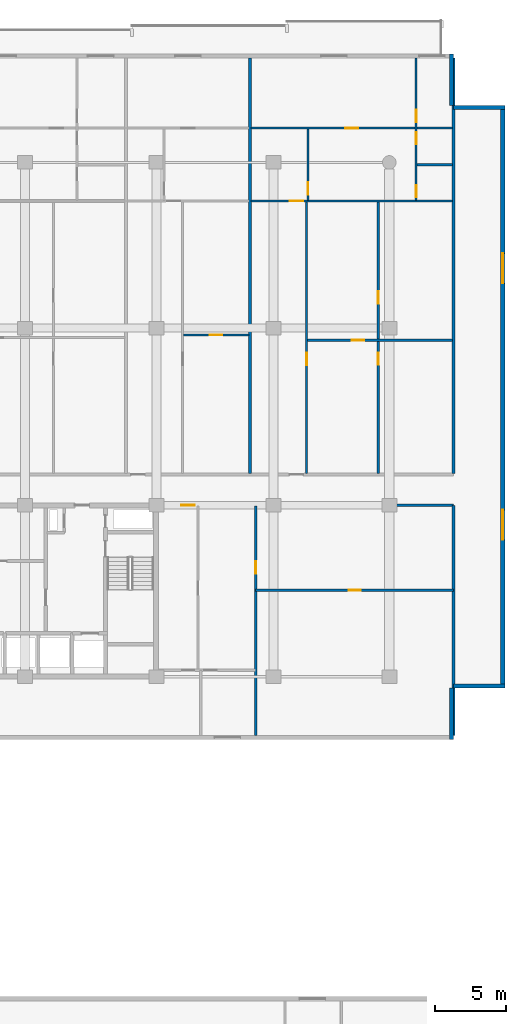
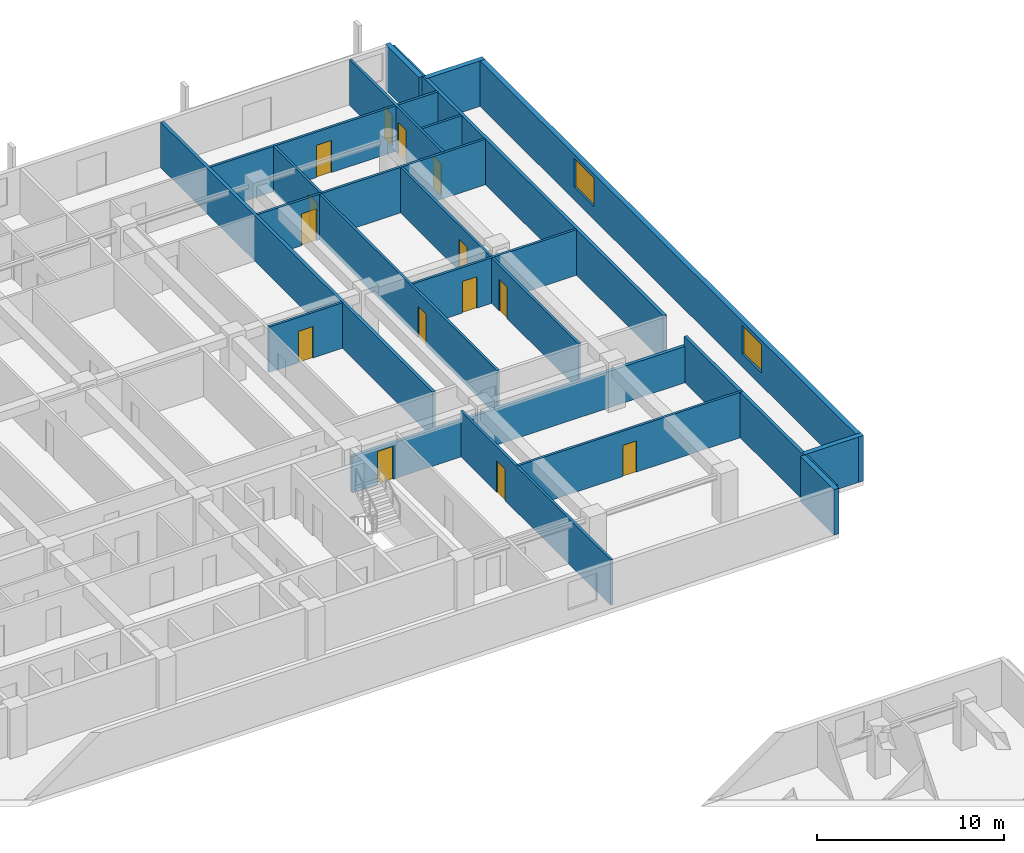
# One storey, part 18 of 24: 20 walls, 14 doors, 2 windows, 16 openings.
"""IFC4 building model written with IfcOpenShell, lengths in metres."""

from ifc_helpers import new_model, si_unit, direction, frame, frame_2d, origin, place, context, subcontext, project, spatial, rectangle, extrude, material, layer, layer_set, type_object, element, fill, save


model = new_model("IFC4")

# Units and contexts
model_context = context("Model", 3, precision=1e-05, world=origin(), true_north=direction((0.0, 1.0)))
body_context = subcontext(model_context, "Body", "Model", "MODEL_VIEW")
ifc_project = project(units=[si_unit("LENGTHUNIT", "METRE"), si_unit("AREAUNIT", "SQUARE_METRE"), si_unit("VOLUMEUNIT", "CUBIC_METRE"), si_unit("PLANEANGLEUNIT", "RADIAN"), si_unit("MASSUNIT", "GRAM", prefix="KILO")], contexts=[model_context])

# Site, building, storey
site_placement = place(None, origin())
site = spatial("IfcSite", under=ifc_project, at=site_placement, CompositionType="ELEMENT")
building_placement = place(site_placement, origin())
building = spatial("IfcBuilding", under=site, at=building_placement, Name="Korimba Cascade Residences", CompositionType="ELEMENT")
storey_placement = place(building_placement, frame((0.0, 0.0, 63.0)))
storey = spatial("IfcBuildingStorey", under=building, at=storey_placement, Name="L17", CompositionType="ELEMENT", Elevation=63.0)

# Walls
ifc_material_1 = material(Name="Precast concrete C40/50", Category="concrete")
ifc_layer_1 = layer(ifc_material_1, 0.300048828125)
ifc_layer_set_1 = layer_set([ifc_layer_1], Name="Precast concrete C40/50")
wall_type_1 = type_object("IfcWallType", Name="EW-STONE-300", PredefinedType="STANDARD", material=ifc_layer_set_1)
wall_1_placement = place(storey_placement, frame((132.75, 50.800048828125, 0.0), z_axis=(0.0, 0.0, 1.0), x_axis=(0.0, 1.0, 0.0)))
element("IfcWall", 1, at=wall_1_placement, inside=storey, type_object=wall_type_1, Name="L17 T1 Perimeter Stone Wall E01", PredefinedType="STANDARD", context=body_context, shape_type="SweptSolid", body=[
    extrude(rectangle(XDim=3.599853515625, YDim=0.300048828125, at=frame_2d((1.7998046875, 0.0))), origin(), (0.0, 0.0, 1.0), 2.969970703125),
])
wall_2_placement = place(storey_placement, frame((132.89990234375, 54.550048828125, 0.0), z_axis=(0.0, 0.0, 1.0), x_axis=(1.0, 0.0, 0.0)))
element("IfcWall", 2, at=wall_2_placement, inside=storey, type_object=wall_type_1, Name="L17 T1 Perimeter Stone Wall E02", PredefinedType="STANDARD", context=body_context, shape_type="SweptSolid", body=[
    extrude(rectangle(XDim=3.60009765625, YDim=0.300048828125, at=frame_2d((1.800048828125, 0.0))), origin(), (0.0, 0.0, 1.0), 2.969970703125),
])

# Wall, openings, windows
wall_3_placement = place(storey_placement, frame((136.35009765625, 54.39990234375, 0.0), z_axis=(0.0, 0.0, 1.0), x_axis=(0.0, 1.0, 0.0)))
wall_3 = element("IfcWall", 3, at=wall_3_placement, inside=storey, type_object=wall_type_1, Name="L17 T1 Perimeter Stone Wall E03", PredefinedType="STANDARD", context=body_context, shape_type="SweptSolid", body=[
    extrude(rectangle(XDim=40.800048828125, YDim=0.300048828125, at=frame_2d((20.39990234375, 0.0))), origin(), (0.0, 0.0, 1.0), 2.969970703125),
])
opening_1_placement = place(wall_3_placement, frame((10.3740234375, 0.0, 0.85009765625)))
opening_1 = element("IfcOpeningElement", 4, at=opening_1_placement, cuts=wall_3, Name="Opening W-03", PredefinedType="OPENING", context=body_context, shape_type="SweptSolid", body=[
    extrude(rectangle(XDim=2.10009765625, YDim=1.85009765625, at=frame_2d((1.050048828125, 0.925048828125))), frame((0.0, 0.16015625, 0.0), z_axis=(0.0, -1.0, 0.0), x_axis=(1.0, 0.0, 0.0)), (0.0, 0.0, 1.0), 0.320068359375),
])
opening_2_placement = place(wall_3_placement, frame((28.325927734375, 0.0, 0.85009765625)))
opening_2 = element("IfcOpeningElement", 5, at=opening_2_placement, cuts=wall_3, Name="Opening W-03", PredefinedType="OPENING", context=body_context, shape_type="SweptSolid", body=[
    extrude(rectangle(XDim=2.10009765625, YDim=1.85009765625, at=frame_2d((1.050048828125, 0.925048828125))), frame((0.0, 0.16015625, 0.0), z_axis=(0.0, -1.0, 0.0), x_axis=(1.0, 0.0, 0.0)), (0.0, 0.0, 1.0), 0.320068359375),
])
ifc_material_2 = material(Name="Double-Glazed Aluminium Window", Category="aluminium")
window_type = type_object("IfcWindowType", Name="WIN-CRN-2100", PartitioningType="DOUBLE_PANEL_HORIZONTAL", PredefinedType="WINDOW", material=ifc_material_2)
window_1_placement = place(opening_1_placement, origin())
window_1 = element("IfcWindow", 6, at=window_1_placement, inside=storey, type_object=window_type, Name="L17 T1 End View Window 3.1", OverallHeight=1.85009765625, OverallWidth=2.10009765625, PartitioningType="DOUBLE_PANEL_HORIZONTAL", PredefinedType="WINDOW", context=body_context, shape_type="SweptSolid", body=[
    extrude(rectangle(XDim=2.10009765625, YDim=1.85009765625, at=frame_2d((1.050048828125, 0.925048828125))), frame((0.0, 0.030029296875, 0.0), z_axis=(0.0, -1.0, 0.0), x_axis=(1.0, 0.0, 0.0)), (0.0, 0.0, 1.0), 0.06005859375),
])
fill(opening_1, window_1)
window_2_placement = place(opening_2_placement, origin())
window_2 = element("IfcWindow", 7, at=window_2_placement, inside=storey, type_object=window_type, Name="L17 T1 End View Window 3.2", OverallHeight=1.85009765625, OverallWidth=2.10009765625, PartitioningType="DOUBLE_PANEL_HORIZONTAL", PredefinedType="WINDOW", context=body_context, shape_type="SweptSolid", body=[
    extrude(rectangle(XDim=2.10009765625, YDim=1.85009765625, at=frame_2d((1.050048828125, 0.925048828125))), frame((0.0, 0.030029296875, 0.0), z_axis=(0.0, -1.0, 0.0), x_axis=(1.0, 0.0, 0.0)), (0.0, 0.0, 1.0), 0.06005859375),
])
fill(opening_2, window_2)

# Walls
for number, where, z_axis, x_axis, name in (
    (8, (136.5, 95.050048828125, 0.0), (0.0, 0.0, 1.0), (-1.0, 0.0, 0.0), "L17 T1 Perimeter Stone Wall E04"),
    (9, (132.75, 95.199951171875, 0.0), (0.0, 0.0, 1.0), (0.0, 1.0, 0.0), "L17 T1 Perimeter Stone Wall E05"),
):
    element("IfcWall", number, at=place(storey_placement, frame(where, z_axis=z_axis, x_axis=x_axis)), inside=storey, type_object=wall_type_1, Name=name, PredefinedType="STANDARD", context=body_context, shape_type="SweptSolid", body=[
        extrude(rectangle(XDim=3.60009765625, YDim=0.300048828125, at=frame_2d((1.800048828125, 0.0))), origin(), (0.0, 0.0, 1.0), 2.969970703125),
    ])
ifc_layer_2 = layer(ifc_material_1, 0.199951171875)
ifc_layer_set_2 = layer_set([ifc_layer_2], Name="Precast concrete C40/50")
wall_type_2 = type_object("IfcWallType", Name="WAL-IT-200", PredefinedType="PARTITIONING", material=ifc_layer_set_2)
wall_4_placement = place(storey_placement, frame((132.89990234375, 51.10009765625, 0.0), z_axis=(0.0, 0.0, 1.0), x_axis=(0.0, 1.0, 0.0)))
element("IfcWall", 10, at=wall_4_placement, inside=storey, type_object=wall_type_2, Name="L17 Partition Wall WAL-L17-T1-FE-WR", PredefinedType="PARTITIONING", context=body_context, shape_type="SweptSolid", body=[
    extrude(rectangle(XDim=16.099853515625, YDim=0.199951171875, at=frame_2d((8.0498046875, 0.0))), origin(), (0.0, 0.0, 1.0), 2.969970703125),
])

# Wall, opening, door
wall_5_placement = place(storey_placement, frame((112.25, 67.199951171875, 0.0), z_axis=(0.0, 0.0, 1.0), x_axis=(1.0, 0.0, 0.0)))
wall_5 = element("IfcWall", 11, at=wall_5_placement, inside=storey, type_object=wall_type_2, Name="L17 Partition Wall WAL-L17-T1-FE-N", PredefinedType="PARTITIONING", context=body_context, shape_type="SweptSolid", body=[
    extrude(rectangle(XDim=20.64990234375, YDim=0.199951171875, at=frame_2d((10.324951171875, 0.0))), origin(), (0.0, 0.0, 1.0), 2.3701171875),
])
opening_3_placement = place(wall_5_placement, frame((1.580078125, 0.0, 0.0)))
opening_3 = element("IfcOpeningElement", 12, at=opening_3_placement, cuts=wall_5, Name="Opening D-UN1", PredefinedType="OPENING", context=body_context, shape_type="SweptSolid", body=[
    extrude(rectangle(XDim=0.949951171875, YDim=2.14990234375, at=frame_2d((0.47509765625, 1.074951171875))), frame((0.0, 0.10986328125, 0.0), z_axis=(0.0, -1.0, 0.0), x_axis=(1.0, 0.0, 0.0)), (0.0, 0.0, 1.0), 0.219970703125),
])
ifc_material_3 = material(Name="Fire-Rated Hardwood Apartment Entrance Door", Category="wood")
door_type_1 = type_object("IfcDoorType", Name="DR-FD60-950", OperationType="NOTDEFINED", PredefinedType="DOOR", material=ifc_material_3)
door_1_placement = place(opening_3_placement, origin())
door_1 = element("IfcDoor", 13, at=door_1_placement, inside=storey, type_object=door_type_1, Name="L17-T1-FE Entrance Door", OperationType="SINGLE_SWING_RIGHT", OverallHeight=2.14990234375, OverallWidth=0.949951171875, PredefinedType="DOOR", context=body_context, shape_type="SweptSolid", body=[
    extrude(rectangle(XDim=0.949951171875, YDim=2.14990234375, at=frame_2d((0.47509765625, 1.074951171875))), frame((0.0, 0.02490234375, 0.0), z_axis=(0.0, -1.0, 0.0), x_axis=(1.0, 0.0, 0.0)), (0.0, 0.0, 1.0), 0.050048828125),
])
fill(opening_3, door_1)

# Walls
for number, where, z_axis, x_axis, name in (
    (14, (132.89990234375, 69.429931640625, 0.0), (0.0, 0.0, 1.0), (0.0, 1.0, 0.0), "L17 Partition Wall WAL-L17-T1-BNDWR"),
    (15, (118.6455078125, 69.429931640625, 0.0), (0.0, 0.0, 1.0), (0.0, 1.0, 0.0), "L17 Partition Wall WAL-L17-T1-DEM-5"),
):
    element("IfcWall", number, at=place(storey_placement, frame(where, z_axis=z_axis, x_axis=x_axis)), inside=storey, type_object=wall_type_2, Name=name, PredefinedType="PARTITIONING", context=body_context, shape_type="SweptSolid", body=[
        extrude(rectangle(XDim=29.070068359375, YDim=0.199951171875, at=frame_2d((14.53515625, 0.0))), origin(), (0.0, 0.0, 1.0), 2.969970703125),
    ])

# Wall, opening, door
ifc_material_4 = material(Name="Insulated Acoustic Stud Partition", Category="gypsum")
ifc_layer_3 = layer(ifc_material_4, 0.14990234375)
ifc_layer_set_3 = layer_set([ifc_layer_3], Name="Insulated Acoustic Stud Partition")
wall_type_3 = type_object("IfcWallType", Name="WAL-PART-150", PredefinedType="PARTITIONING", material=ifc_layer_set_3)
wall_6_placement = place(storey_placement, frame((119.050048828125, 61.25, 0.0), z_axis=(0.0, 0.0, 1.0), x_axis=(1.0, 0.0, 0.0)))
wall_6 = element("IfcWall", 16, at=wall_6_placement, inside=storey, type_object=wall_type_3, Name="L17 Partition Wall WAL-L17-T1-FE-STH", PredefinedType="PARTITIONING", context=body_context, shape_type="SweptSolid", body=[
    extrude(rectangle(XDim=13.849853515625, YDim=0.14990234375, at=frame_2d((6.9248046875, 0.0))), origin(), (0.0, 0.0, 1.0), 2.969970703125),
])
opening_4_placement = place(wall_6_placement, frame((6.5048828125, 0.0, 0.0)))
opening_4 = element("IfcOpeningElement", 17, at=opening_4_placement, cuts=wall_6, Name="Opening D-BT1", PredefinedType="OPENING", context=body_context, shape_type="SweptSolid", body=[
    extrude(rectangle(XDim=0.840087890625, YDim=2.0400390625, at=frame_2d((0.419921875, 1.02001953125))), frame((0.0, 0.0849609375, 0.0), z_axis=(0.0, -1.0, 0.0), x_axis=(1.0, 0.0, 0.0)), (0.0, 0.0, 1.0), 0.169921875),
])
ifc_material_5 = material(Name="Moisture-Resistant Bathroom Timber Door", Category="wood")
door_type_2 = type_object("IfcDoorType", Name="DR-INT-850", OperationType="NOTDEFINED", PredefinedType="DOOR", material=ifc_material_5)
door_2_placement = place(opening_4_placement, origin())
door_2 = element("IfcDoor", 18, at=door_2_placement, inside=storey, type_object=door_type_2, Name="L17-T1-FE Dressing Store Door", OperationType="SINGLE_SWING_LEFT", OverallHeight=2.0400390625, OverallWidth=0.840087890625, PredefinedType="DOOR", context=body_context, shape_type="SweptSolid", body=[
    extrude(rectangle(XDim=0.840087890625, YDim=2.0400390625, at=frame_2d((0.419921875, 1.02001953125))), frame((0.0, 0.02490234375, 0.0), z_axis=(0.0, -1.0, 0.0), x_axis=(1.0, 0.0, 0.0)), (0.0, 0.0, 1.0), 0.050048828125),
])
fill(opening_4, door_2)

wall_7_placement = place(storey_placement, frame((119.050048828125, 51.10009765625, 0.0), z_axis=(0.0, 0.0, 1.0), x_axis=(0.0, 1.0, 0.0)))
wall_7 = element("IfcWall", 19, at=wall_7_placement, inside=storey, type_object=wall_type_3, Name="L17 Partition Wall WAL-L17-T1-FE-STV", PredefinedType="PARTITIONING", context=body_context, shape_type="SweptSolid", body=[
    extrude(rectangle(XDim=16.0498046875, YDim=0.14990234375, at=frame_2d((8.02490234375, 0.0))), origin(), (0.0, 0.0, 1.0), 2.969970703125),
])
opening_5_placement = place(wall_7_placement, frame((11.300048828125, 0.0, 0.0)))
opening_5 = element("IfcOpeningElement", 20, at=opening_5_placement, cuts=wall_7, Name="Opening D-IN2", PredefinedType="OPENING", context=body_context, shape_type="SweptSolid", body=[
    extrude(rectangle(XDim=0.8798828125, YDim=2.06005859375, at=frame_2d((0.43994140625, 1.030029296875))), frame((0.0, 0.0849609375, 0.0), z_axis=(0.0, -1.0, 0.0), x_axis=(1.0, 0.0, 0.0)), (0.0, 0.0, 1.0), 0.169921875),
])
ifc_material_6 = material(Name="Acoustic Timber Bedroom Door", Category="wood")
door_type_3 = type_object("IfcDoorType", Name="DR-INT-880", OperationType="NOTDEFINED", PredefinedType="DOOR", material=ifc_material_6)
door_3_placement = place(opening_5_placement, origin())
door_3 = element("IfcDoor", 21, at=door_3_placement, inside=storey, type_object=door_type_3, Name="L17-T1-FE Study Door", OperationType="SINGLE_SWING_RIGHT", OverallHeight=2.06005859375, OverallWidth=0.8798828125, PredefinedType="DOOR", context=body_context, shape_type="SweptSolid", body=[
    extrude(rectangle(XDim=0.8798828125, YDim=2.06005859375, at=frame_2d((0.43994140625, 1.030029296875))), frame((0.0, 0.02490234375, 0.0), z_axis=(0.0, -1.0, 0.0), x_axis=(1.0, 0.0, 0.0)), (0.0, 0.0, 1.0), 0.050048828125),
])
fill(opening_5, door_3)

wall_8_placement = place(storey_placement, frame((113.995361328125, 79.114990234375, 0.0), z_axis=(0.0, 0.0, 1.0), x_axis=(1.0, 0.0, 0.0)))
wall_8 = element("IfcWall", 22, at=wall_8_placement, inside=storey, type_object=wall_type_3, Name="L17 Partition Wall WAL-L17-T1-U05-FMH", PredefinedType="PARTITIONING", context=body_context, shape_type="SweptSolid", body=[
    extrude(rectangle(XDim=4.5703125, YDim=0.14990234375, at=frame_2d((2.28515625, 0.0))), origin(), (0.0, 0.0, 1.0), 2.969970703125),
])
opening_6_placement = place(wall_8_placement, frame((1.84521484375, 0.0, 0.0)))
opening_6 = element("IfcOpeningElement", 23, at=opening_6_placement, cuts=wall_8, Name="Opening D-IN2", PredefinedType="OPENING", context=body_context, shape_type="SweptSolid", body=[
    extrude(rectangle(XDim=0.8798828125, YDim=2.06005859375, at=frame_2d((0.43994140625, 1.030029296875))), frame((0.0, 0.0849609375, 0.0), z_axis=(0.0, -1.0, 0.0), x_axis=(1.0, 0.0, 0.0)), (0.0, 0.0, 1.0), 0.169921875),
])
door_4_placement = place(opening_6_placement, origin())
door_4 = element("IfcDoor", 24, at=door_4_placement, inside=storey, type_object=door_type_3, Name="L17-T1-U05 Library Salon Door", OperationType="SINGLE_SWING_RIGHT", OverallHeight=2.06005859375, OverallWidth=0.8798828125, PredefinedType="DOOR", context=body_context, shape_type="SweptSolid", body=[
    extrude(rectangle(XDim=0.8798828125, YDim=2.06005859375, at=frame_2d((0.43994140625, 1.030029296875))), frame((0.0, 0.02490234375, 0.0), z_axis=(0.0, -1.0, 0.0), x_axis=(1.0, 0.0, 0.0)), (0.0, 0.0, 1.0), 0.050048828125),
])
fill(opening_6, door_4)

# Wall, openings, doors
wall_9_placement = place(storey_placement, frame((127.627685546875, 69.409912109375, 0.0), z_axis=(0.0, 0.0, 1.0), x_axis=(0.0, 1.0, 0.0)))
wall_9 = element("IfcWall", 25, at=wall_9_placement, inside=storey, type_object=wall_type_3, Name="L17 Partition Wall WAL-L17-T1-U06-FMV", PredefinedType="PARTITIONING", context=body_context, shape_type="SweptSolid", body=[
    extrude(rectangle(XDim=19.050048828125, YDim=0.14990234375, at=frame_2d((9.52490234375, 0.0))), origin(), (0.0, 0.0, 1.0), 2.969970703125),
])
opening_7_placement = place(wall_9_placement, frame((7.62255859375, 0.0, 0.0)))
opening_7 = element("IfcOpeningElement", 26, at=opening_7_placement, cuts=wall_9, Name="Opening D-BT1", PredefinedType="OPENING", context=body_context, shape_type="SweptSolid", body=[
    extrude(rectangle(XDim=0.840087890625, YDim=2.0400390625, at=frame_2d((0.419921875, 1.02001953125))), frame((0.0, 0.0849609375, 0.0), z_axis=(0.0, -1.0, 0.0), x_axis=(1.0, 0.0, 0.0)), (0.0, 0.0, 1.0), 0.169921875),
])
opening_8_placement = place(wall_9_placement, frame((11.89794921875, 0.0, 0.0)))
opening_8 = element("IfcOpeningElement", 27, at=opening_8_placement, cuts=wall_9, Name="Opening D-IN2", PredefinedType="OPENING", context=body_context, shape_type="SweptSolid", body=[
    extrude(rectangle(XDim=0.8798828125, YDim=2.06005859375, at=frame_2d((0.43994140625, 1.030029296875))), frame((0.0, 0.0849609375, 0.0), z_axis=(0.0, -1.0, 0.0), x_axis=(1.0, 0.0, 0.0)), (0.0, 0.0, 1.0), 0.169921875),
])
door_5_placement = place(opening_7_placement, origin())
door_5 = element("IfcDoor", 28, at=door_5_placement, inside=storey, type_object=door_type_2, Name="L17-T1-U06 Wardrobe Door", OperationType="SINGLE_SWING_LEFT", OverallHeight=2.0400390625, OverallWidth=0.840087890625, PredefinedType="DOOR", context=body_context, shape_type="SweptSolid", body=[
    extrude(rectangle(XDim=0.840087890625, YDim=2.0400390625, at=frame_2d((0.419921875, 1.02001953125))), frame((0.0, 0.02490234375, 0.0), z_axis=(0.0, -1.0, 0.0), x_axis=(1.0, 0.0, 0.0)), (0.0, 0.0, 1.0), 0.050048828125),
])
fill(opening_7, door_5)
door_6_placement = place(opening_8_placement, origin())
door_6 = element("IfcDoor", 29, at=door_6_placement, inside=storey, type_object=door_type_3, Name="L17-T1-U06 Music Lounge Door", OperationType="SINGLE_SWING_RIGHT", OverallHeight=2.06005859375, OverallWidth=0.8798828125, PredefinedType="DOOR", context=body_context, shape_type="SweptSolid", body=[
    extrude(rectangle(XDim=0.8798828125, YDim=2.06005859375, at=frame_2d((0.43994140625, 1.030029296875))), frame((0.0, 0.02490234375, 0.0), z_axis=(0.0, -1.0, 0.0), x_axis=(1.0, 0.0, 0.0)), (0.0, 0.0, 1.0), 0.050048828125),
])
fill(opening_8, door_6)

# Wall, opening, door
wall_10_placement = place(storey_placement, frame((122.675537109375, 78.7548828125, 0.0), z_axis=(0.0, 0.0, 1.0), x_axis=(1.0, 0.0, 0.0)))
wall_10 = element("IfcWall", 30, at=wall_10_placement, inside=storey, type_object=wall_type_3, Name="L17 Partition Wall WAL-L17-T1-U06-FMH", PredefinedType="PARTITIONING", context=body_context, shape_type="SweptSolid", body=[
    extrude(rectangle(XDim=10.14453125, YDim=0.14990234375, at=frame_2d((5.072265625, 0.0))), origin(), (0.0, 0.0, 1.0), 2.969970703125),
])
opening_9_placement = place(wall_10_placement, frame((3.081787109375, 0.0, 0.0)))
opening_9 = element("IfcOpeningElement", 31, at=opening_9_placement, cuts=wall_10, Name="Opening D-IN2", PredefinedType="OPENING", context=body_context, shape_type="SweptSolid", body=[
    extrude(rectangle(XDim=0.8798828125, YDim=2.06005859375, at=frame_2d((0.43994140625, 1.030029296875))), frame((0.0, 0.0849609375, 0.0), z_axis=(0.0, -1.0, 0.0), x_axis=(1.0, 0.0, 0.0)), (0.0, 0.0, 1.0), 0.169921875),
])
door_7_placement = place(opening_9_placement, origin())
door_7 = element("IfcDoor", 32, at=door_7_placement, inside=storey, type_object=door_type_3, Name="L17-T1-U06 Library Salon Door", OperationType="SINGLE_SWING_LEFT", OverallHeight=2.06005859375, OverallWidth=0.8798828125, PredefinedType="DOOR", context=body_context, shape_type="SweptSolid", body=[
    extrude(rectangle(XDim=0.8798828125, YDim=2.06005859375, at=frame_2d((0.43994140625, 1.030029296875))), frame((0.0, 0.02490234375, 0.0), z_axis=(0.0, -1.0, 0.0), x_axis=(1.0, 0.0, 0.0)), (0.0, 0.0, 1.0), 0.050048828125),
])
fill(opening_9, door_7)

wall_11_placement = place(storey_placement, frame((122.615478515625, 69.409912109375, 0.0), z_axis=(0.0, 0.0, 1.0), x_axis=(0.0, 1.0, 0.0)))
wall_11 = element("IfcWall", 33, at=wall_11_placement, inside=storey, type_object=wall_type_3, Name="L17 Partition Wall WAL-L17-T1-U06-FV", PredefinedType="PARTITIONING", context=body_context, shape_type="SweptSolid", body=[
    extrude(rectangle(XDim=19.050048828125, YDim=0.14990234375, at=frame_2d((9.52490234375, 0.0))), origin(), (0.0, 0.0, 1.0), 2.969970703125),
])
opening_10_placement = place(wall_11_placement, frame((7.585693359375, 0.0, 0.0)))
opening_10 = element("IfcOpeningElement", 34, at=opening_10_placement, cuts=wall_11, Name="Opening D-IN2", PredefinedType="OPENING", context=body_context, shape_type="SweptSolid", body=[
    extrude(rectangle(XDim=0.8798828125, YDim=2.06005859375, at=frame_2d((0.43994140625, 1.030029296875))), frame((0.0, 0.0849609375, 0.0), z_axis=(0.0, -1.0, 0.0), x_axis=(1.0, 0.0, 0.0)), (0.0, 0.0, 1.0), 0.169921875),
])
door_8_placement = place(opening_10_placement, origin())
door_8 = element("IfcDoor", 35, at=door_8_placement, inside=storey, type_object=door_type_3, Name="L17-T1-U06 Media Lounge Door", OperationType="SINGLE_SWING_RIGHT", OverallHeight=2.06005859375, OverallWidth=0.8798828125, PredefinedType="DOOR", context=body_context, shape_type="SweptSolid", body=[
    extrude(rectangle(XDim=0.8798828125, YDim=2.06005859375, at=frame_2d((0.43994140625, 1.030029296875))), frame((0.0, 0.02490234375, 0.0), z_axis=(0.0, -1.0, 0.0), x_axis=(1.0, 0.0, 0.0)), (0.0, 0.0, 1.0), 0.050048828125),
])
fill(opening_10, door_8)

wall_12_placement = place(storey_placement, frame((122.715576171875, 88.5400390625, 0.0), z_axis=(0.0, 0.0, 1.0), x_axis=(0.0, 1.0, 0.0)))
wall_12 = element("IfcWall", 36, at=wall_12_placement, inside=storey, type_object=wall_type_3, Name="L17 Partition Wall WAL-L17-T1-U06-VDIN", PredefinedType="PARTITIONING", context=body_context, shape_type="SweptSolid", body=[
    extrude(rectangle(XDim=5.0, YDim=0.14990234375, at=frame_2d((2.5, 0.0))), origin(), (0.0, 0.0, 1.0), 2.969970703125),
])
opening_11_placement = place(wall_12_placement, frame((0.39990234375, 0.0, 0.0)))
opening_11 = element("IfcOpeningElement", 37, at=opening_11_placement, cuts=wall_12, Name="Opening D-IN2", PredefinedType="OPENING", context=body_context, shape_type="SweptSolid", body=[
    extrude(rectangle(XDim=0.8798828125, YDim=2.06005859375, at=frame_2d((0.43994140625, 1.030029296875))), frame((0.0, 0.0849609375, 0.0), z_axis=(0.0, -1.0, 0.0), x_axis=(1.0, 0.0, 0.0)), (0.0, 0.0, 1.0), 0.169921875),
])
door_9_placement = place(opening_11_placement, origin())
door_9 = element("IfcDoor", 38, at=door_9_placement, inside=storey, type_object=door_type_3, Name="L17-T1-U06 Dining Room Door", OperationType="SINGLE_SWING_LEFT", OverallHeight=2.06005859375, OverallWidth=0.8798828125, PredefinedType="DOOR", context=body_context, shape_type="SweptSolid", body=[
    extrude(rectangle(XDim=0.8798828125, YDim=2.06005859375, at=frame_2d((0.43994140625, 1.030029296875))), frame((0.0, 0.02490234375, 0.0), z_axis=(0.0, -1.0, 0.0), x_axis=(1.0, 0.0, 0.0)), (0.0, 0.0, 1.0), 0.050048828125),
])
fill(opening_11, door_9)

# Wall
wall_13_placement = place(storey_placement, frame((130.340087890625, 91.0400390625, 0.0), z_axis=(0.0, 0.0, 1.0), x_axis=(1.0, 0.0, 0.0)))
element("IfcWall", 39, at=wall_13_placement, inside=storey, type_object=wall_type_3, Name="L17 Partition Wall WAL-L17-T1-U06-BLDIV", PredefinedType="PARTITIONING", context=body_context, shape_type="SweptSolid", body=[
    extrude(rectangle(XDim=2.47998046875, YDim=0.14990234375, at=frame_2d((1.239990234375, 0.0))), origin(), (0.0, 0.0, 1.0), 2.969970703125),
])

# Wall, openings, doors
wall_14_placement = place(storey_placement, frame((130.280029296875, 88.5400390625, 0.0), z_axis=(0.0, 0.0, 1.0), x_axis=(0.0, 1.0, 0.0)))
wall_14 = element("IfcWall", 40, at=wall_14_placement, inside=storey, type_object=wall_type_3, Name="L17 Partition Wall WAL-L17-T1-U06-V1", PredefinedType="PARTITIONING", context=body_context, shape_type="SweptSolid", body=[
    extrude(rectangle(XDim=9.9599609375, YDim=0.14990234375, at=frame_2d((4.97998046875, 0.0))), origin(), (0.0, 0.0, 1.0), 2.969970703125),
])
opening_12_placement = place(wall_14_placement, frame((0.239990234375, 0.0, 0.0)))
opening_12 = element("IfcOpeningElement", 41, at=opening_12_placement, cuts=wall_14, Name="Opening D-BT1", PredefinedType="OPENING", context=body_context, shape_type="SweptSolid", body=[
    extrude(rectangle(XDim=0.840087890625, YDim=2.0400390625, at=frame_2d((0.419921875, 1.02001953125))), frame((0.0, 0.0849609375, 0.0), z_axis=(0.0, -1.0, 0.0), x_axis=(1.0, 0.0, 0.0)), (0.0, 0.0, 1.0), 0.169921875),
])
opening_13_placement = place(wall_14_placement, frame((3.919921875, 0.0, 0.0)))
opening_13 = element("IfcOpeningElement", 42, at=opening_13_placement, cuts=wall_14, Name="Opening D-BT1", PredefinedType="OPENING", context=body_context, shape_type="SweptSolid", body=[
    extrude(rectangle(XDim=0.840087890625, YDim=2.0400390625, at=frame_2d((0.419921875, 1.02001953125))), frame((0.0, 0.0849609375, 0.0), z_axis=(0.0, -1.0, 0.0), x_axis=(1.0, 0.0, 0.0)), (0.0, 0.0, 1.0), 0.169921875),
])
opening_14_placement = place(wall_14_placement, frame((5.47998046875, 0.0, 0.0)))
opening_14 = element("IfcOpeningElement", 43, at=opening_14_placement, cuts=wall_14, Name="Opening D-IN2", PredefinedType="OPENING", context=body_context, shape_type="SweptSolid", body=[
    extrude(rectangle(XDim=0.8798828125, YDim=2.06005859375, at=frame_2d((0.43994140625, 1.030029296875))), frame((0.0, 0.0849609375, 0.0), z_axis=(0.0, -1.0, 0.0), x_axis=(1.0, 0.0, 0.0)), (0.0, 0.0, 1.0), 0.169921875),
])
door_10_placement = place(opening_12_placement, origin())
door_10 = element("IfcDoor", 44, at=door_10_placement, inside=storey, type_object=door_type_2, Name="L17-T1-U06 Bathroom Door", OperationType="SINGLE_SWING_RIGHT", OverallHeight=2.0400390625, OverallWidth=0.840087890625, PredefinedType="DOOR", context=body_context, shape_type="SweptSolid", body=[
    extrude(rectangle(XDim=0.840087890625, YDim=2.0400390625, at=frame_2d((0.419921875, 1.02001953125))), frame((0.0, 0.02490234375, 0.0), z_axis=(0.0, -1.0, 0.0), x_axis=(1.0, 0.0, 0.0)), (0.0, 0.0, 1.0), 0.050048828125),
])
fill(opening_12, door_10)
door_11_placement = place(opening_13_placement, origin())
door_11 = element("IfcDoor", 45, at=door_11_placement, inside=storey, type_object=door_type_2, Name="L17-T1-U06 Laundry Door", OperationType="SINGLE_SWING_LEFT", OverallHeight=2.0400390625, OverallWidth=0.840087890625, PredefinedType="DOOR", context=body_context, shape_type="SweptSolid", body=[
    extrude(rectangle(XDim=0.840087890625, YDim=2.0400390625, at=frame_2d((0.419921875, 1.02001953125))), frame((0.0, 0.02490234375, 0.0), z_axis=(0.0, -1.0, 0.0), x_axis=(1.0, 0.0, 0.0)), (0.0, 0.0, 1.0), 0.050048828125),
])
fill(opening_13, door_11)
door_12_placement = place(opening_14_placement, origin())
door_12 = element("IfcDoor", 46, at=door_12_placement, inside=storey, type_object=door_type_3, Name="L17-T1-U06 Bedroom 1 Door", OperationType="SINGLE_SWING_RIGHT", OverallHeight=2.06005859375, OverallWidth=0.8798828125, PredefinedType="DOOR", context=body_context, shape_type="SweptSolid", body=[
    extrude(rectangle(XDim=0.8798828125, YDim=2.06005859375, at=frame_2d((0.43994140625, 1.030029296875))), frame((0.0, 0.02490234375, 0.0), z_axis=(0.0, -1.0, 0.0), x_axis=(1.0, 0.0, 0.0)), (0.0, 0.0, 1.0), 0.050048828125),
])
fill(opening_14, door_12)

# Wall, opening, door
wall_15_placement = place(storey_placement, frame((118.7255859375, 88.5, 0.0), z_axis=(0.0, 0.0, 1.0), x_axis=(1.0, 0.0, 0.0)))
wall_15 = element("IfcWall", 47, at=wall_15_placement, inside=storey, type_object=wall_type_3, Name="L17 Partition Wall WAL-L17-T1-U06-MW", PredefinedType="PARTITIONING", context=body_context, shape_type="SweptSolid", body=[
    extrude(rectangle(XDim=14.094482421875, YDim=0.14990234375, at=frame_2d((7.04736328125, 0.0))), origin(), (0.0, 0.0, 1.0), 2.969970703125),
])
opening_15_placement = place(wall_15_placement, frame((2.719970703125, 0.0, 0.0)))
opening_15 = element("IfcOpeningElement", 48, at=opening_15_placement, cuts=wall_15, Name="Opening D-IN1", PredefinedType="OPENING", context=body_context, shape_type="SweptSolid", body=[
    extrude(rectangle(XDim=0.919921875, YDim=2.080078125, at=frame_2d((0.4599609375, 1.0400390625))), frame((0.0, 0.0849609375, 0.0), z_axis=(0.0, -1.0, 0.0), x_axis=(1.0, 0.0, 0.0)), (0.0, 0.0, 1.0), 0.169921875),
])
ifc_material_7 = material(Name="Acoustic Timber Living Door", Category="wood")
door_type_4 = type_object("IfcDoorType", Name="DR-INT-920", OperationType="NOTDEFINED", PredefinedType="DOOR", material=ifc_material_7)
door_13_placement = place(opening_15_placement, origin())
door_13 = element("IfcDoor", 49, at=door_13_placement, inside=storey, type_object=door_type_4, Name="L17-T1-U06 Kitchen Archway Door", OperationType="SINGLE_SWING_LEFT", OverallHeight=2.080078125, OverallWidth=0.919921875, PredefinedType="DOOR", context=body_context, shape_type="SweptSolid", body=[
    extrude(rectangle(XDim=0.919921875, YDim=2.080078125, at=frame_2d((0.4599609375, 1.0400390625))), frame((0.0, 0.02490234375, 0.0), z_axis=(0.0, -1.0, 0.0), x_axis=(1.0, 0.0, 0.0)), (0.0, 0.0, 1.0), 0.050048828125),
])
fill(opening_15, door_13)

wall_16_placement = place(storey_placement, frame((118.7255859375, 93.60009765625, 0.0), z_axis=(0.0, 0.0, 1.0), x_axis=(1.0, 0.0, 0.0)))
wall_16 = element("IfcWall", 50, at=wall_16_placement, inside=storey, type_object=wall_type_3, Name="L17 Partition Wall WAL-L17-T1-U06-HZ", PredefinedType="PARTITIONING", context=body_context, shape_type="SweptSolid", body=[
    extrude(rectangle(XDim=14.094482421875, YDim=0.14990234375, at=frame_2d((7.04736328125, 0.0))), origin(), (0.0, 0.0, 1.0), 2.969970703125),
])
opening_16_placement = place(wall_16_placement, frame((6.5771484375, 0.0, 0.0)))
opening_16 = element("IfcOpeningElement", 51, at=opening_16_placement, cuts=wall_16, Name="Opening D-IN0", PredefinedType="OPENING", context=body_context, shape_type="SweptSolid", body=[
    extrude(rectangle(XDim=0.93994140625, YDim=2.10009765625, at=frame_2d((0.469970703125, 1.050048828125))), frame((0.0, 0.0849609375, 0.0), z_axis=(0.0, -1.0, 0.0), x_axis=(1.0, 0.0, 0.0)), (0.0, 0.0, 1.0), 0.169921875),
])
ifc_material_8 = material(Name="Acoustic Timber Living Archway Door", Category="wood")
door_type_5 = type_object("IfcDoorType", Name="DR-INT-950", OperationType="NOTDEFINED", PredefinedType="DOOR", material=ifc_material_8)
door_14_placement = place(opening_16_placement, origin())
door_14 = element("IfcDoor", 52, at=door_14_placement, inside=storey, type_object=door_type_5, Name="L17-T1-U06 Living Archway Door", OperationType="SINGLE_SWING_RIGHT", OverallHeight=2.10009765625, OverallWidth=0.93994140625, PredefinedType="DOOR", context=body_context, shape_type="SweptSolid", body=[
    extrude(rectangle(XDim=0.93994140625, YDim=2.10009765625, at=frame_2d((0.469970703125, 1.050048828125))), frame((0.0, 0.02490234375, 0.0), z_axis=(0.0, -1.0, 0.0), x_axis=(1.0, 0.0, 0.0)), (0.0, 0.0, 1.0), 0.050048828125),
])
fill(opening_16, door_14)

save(model, "model.ifc")
